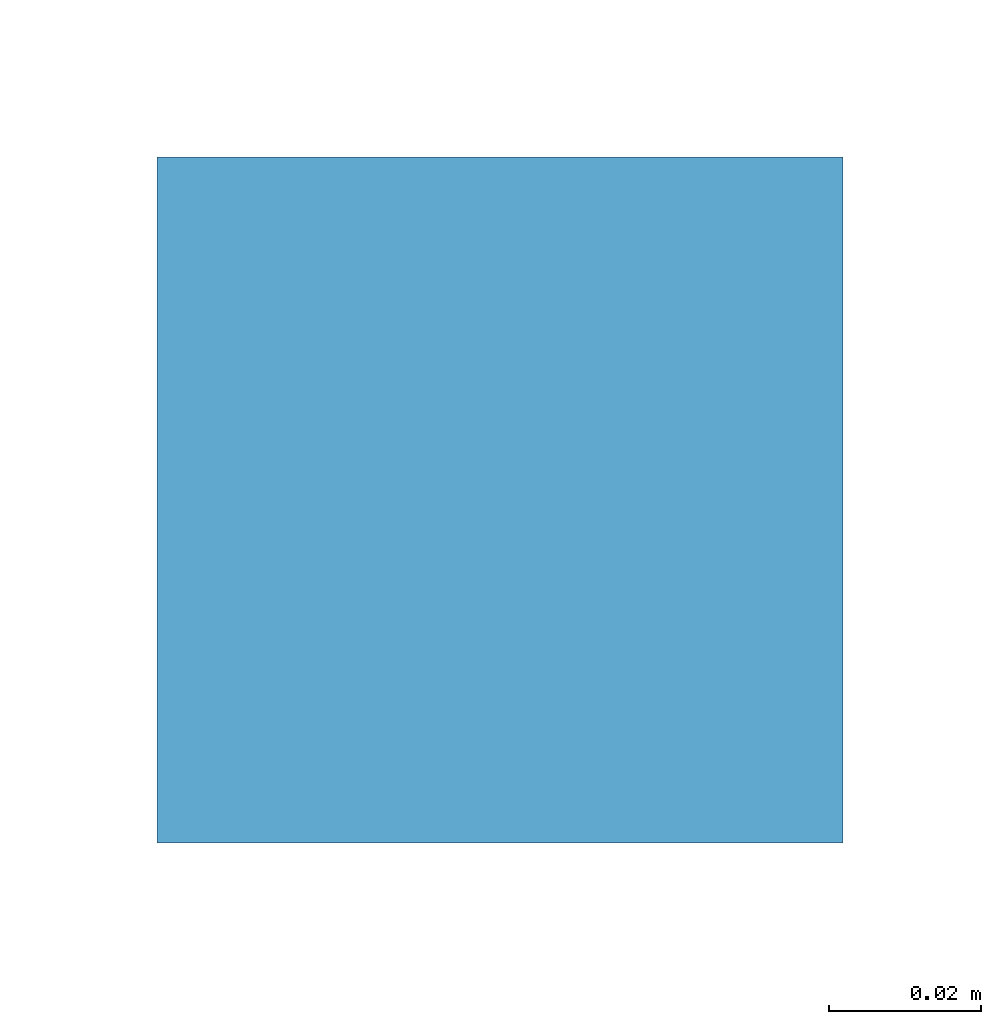
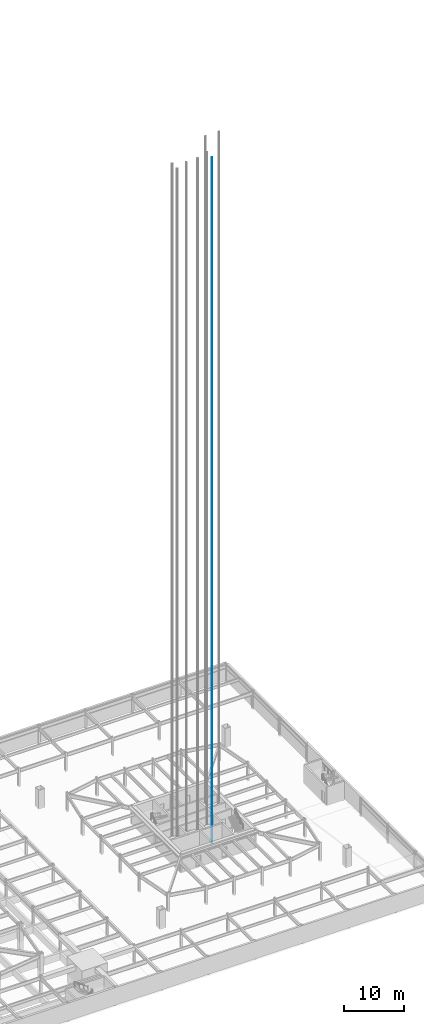
# One storey, part 29 of 35: 1 discrete accessory.
"""IFC4 building model written with IfcOpenShell, lengths in metres."""

from ifc_helpers import new_model, si_unit, direction, frame, origin, origin_2d, place, context, subcontext, project, spatial, rectangle, extrude, material, element, save


model = new_model("IFC4")

# Units and contexts
model_context = context("Model", 3, precision=1e-05, world=origin(), true_north=direction((0.0, 1.0)))
body_context = subcontext(model_context, "Body", "Model", "MODEL_VIEW")
ifc_project = project(units=[si_unit("LENGTHUNIT", "METRE"), si_unit("AREAUNIT", "SQUARE_METRE"), si_unit("VOLUMEUNIT", "CUBIC_METRE"), si_unit("PLANEANGLEUNIT", "RADIAN"), si_unit("MASSUNIT", "GRAM", prefix="KILO")], contexts=[model_context])

# Site, building, storey
site_placement = place(None, origin())
site = spatial("IfcSite", under=ifc_project, at=site_placement, CompositionType="ELEMENT")
building_placement = place(site_placement, origin())
building = spatial("IfcBuilding", under=site, at=building_placement, Name="Iwan Alto Co-Living Towers", CompositionType="ELEMENT")
storey_placement = place(building_placement, frame((0.0, 0.0, -7.199951171875)))
storey = spatial("IfcBuildingStorey", under=building, at=storey_placement, Name="B2", CompositionType="ELEMENT", Elevation=-7.199951171875)

# Discrete accessory
ifc_material = material(Name="Steel ASTM A36", Category="steel")
placement = place(storey_placement, frame((64.633544921875, -2.449951171875, 0.0), z_axis=(0.0, 0.0, 1.0), x_axis=(1.0, 0.0, 0.0)))
discrete_accessory_placement = place(placement, origin())
element("IfcDiscreteAccessory", 1, at=discrete_accessory_placement, inside=storey, material=ifc_material, Name="Lift P6-3 guide rail 1", ObjectType="Lift guide rail", PredefinedType="USERDEFINED", context=body_context, shape_type="SweptSolid", body=[
    extrude(rectangle(XDim=0.09, YDim=0.09, at=origin_2d()), frame((0.0, -0.85009765625, -0.199951171875)), (0.0, 0.0, 1.0), 139.300048828125),
])

save(model, "model.ifc")
